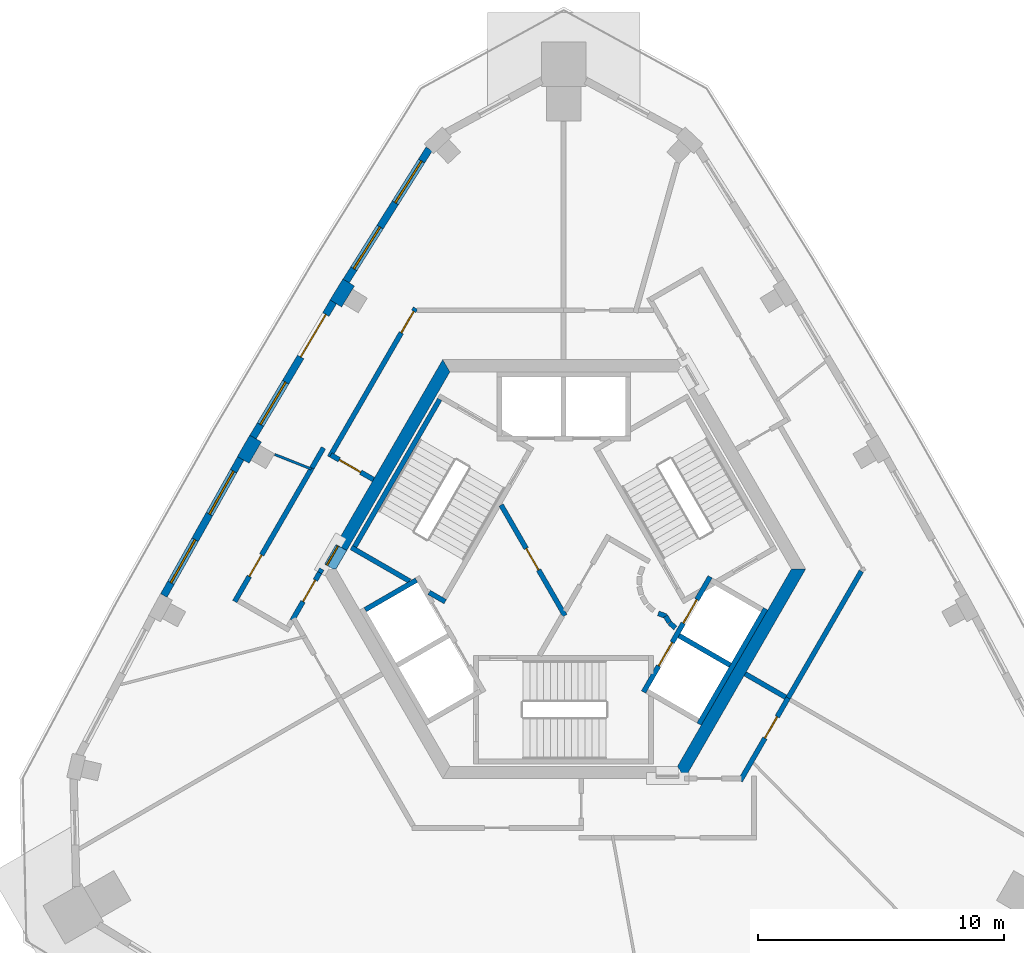
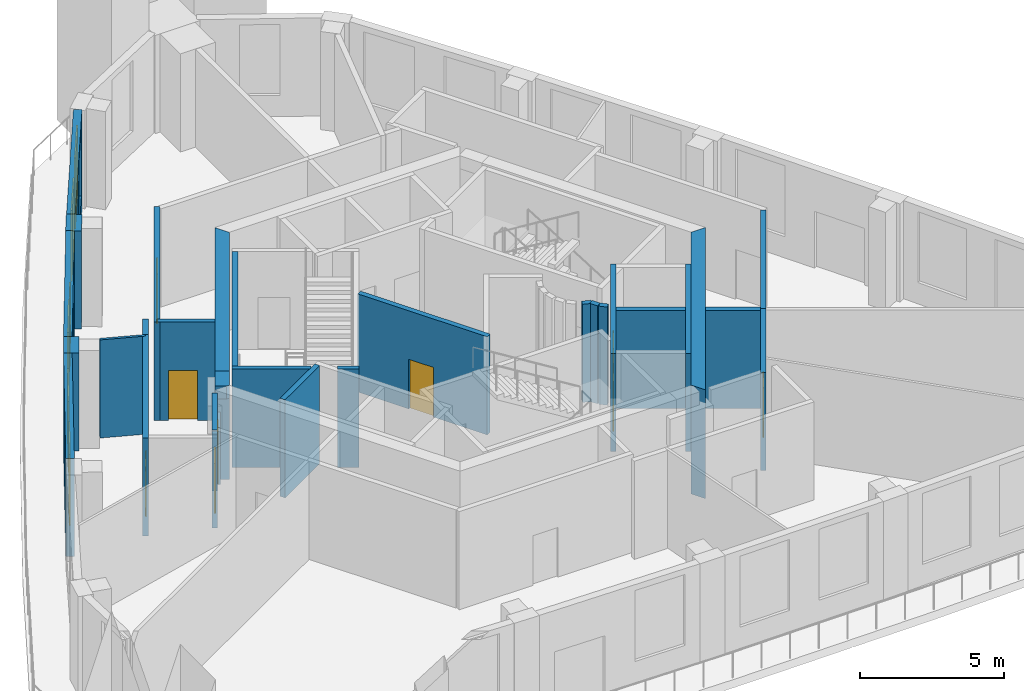
# One storey, part 3 of 7: 30 walls, 10 doors, 5 windows, 15 openings.
"""IFC4 building model written with IfcOpenShell, lengths in metres."""

from ifc_helpers import new_model, si_unit, direction, frame, frame_2d, origin, place, context, subcontext, project, spatial, polyline, rectangle, outline, extrude, material, layer, layer_set, type_object, element, fill, save


model = new_model("IFC4")

# Units and contexts
model_context = context("Model", 3, precision=1e-05, world=origin(), true_north=direction((0.0, 1.0)))
body_context = subcontext(model_context, "Body", "Model", "MODEL_VIEW")
ifc_project = project(units=[si_unit("LENGTHUNIT", "METRE"), si_unit("AREAUNIT", "SQUARE_METRE"), si_unit("VOLUMEUNIT", "CUBIC_METRE"), si_unit("PLANEANGLEUNIT", "RADIAN"), si_unit("MASSUNIT", "GRAM", prefix="KILO")], contexts=[model_context])

# Site, building, storey
site_placement = place(None, origin())
site = spatial("IfcSite", under=ifc_project, at=site_placement, CompositionType="ELEMENT")
building_placement = place(site_placement, origin())
building = spatial("IfcBuilding", under=site, at=building_placement, Name="Entoto Arch Interchange Tower", CompositionType="ELEMENT")
storey_placement = place(building_placement, frame((0.0, 0.0, 340.39990234375)))
storey = spatial("IfcBuildingStorey", under=building, at=storey_placement, Name="L80", CompositionType="ELEMENT", Elevation=340.39990234375)

# Wall, opening, door
ifc_material_1 = material(Name="Reinforced concrete C40/50", Category="concrete")
ifc_layer_1 = layer(ifc_material_1, 0.199951171875)
ifc_layer_set_1 = layer_set([ifc_layer_1], Name="Reinforced concrete C40/50")
wall_type_1 = type_object("IfcWallType", Name="CORE GAP INFILL WALL", PredefinedType="PARTITIONING", material=ifc_layer_set_1)
wall_1_placement = place(storey_placement, frame((-9.14990234375, 3.451904296875, 0.0), z_axis=(0.0, 0.0, 1.0), x_axis=(-0.500079945886, -0.865979242085, 0.0)))
wall_1 = element("IfcWall", 1, at=wall_1_placement, inside=storey, type_object=wall_type_1, Name="wall:L80:gap3", PredefinedType="PARTITIONING", context=body_context, shape_type="SweptSolid", body=[
    extrude(rectangle(XDim=0.926025390625, YDim=0.199951171875, at=frame_2d((0.462890625, 0.0))), origin(), (0.0, 0.0, 1.0), 2.400146484375),
])
opening_1_placement = place(wall_1_placement, frame((0.01708984375, 0.0, 0.0)))
opening_1 = element("IfcOpeningElement", 2, at=opening_1_placement, cuts=wall_1, Name="Opening L80-D93", PredefinedType="OPENING", context=body_context, shape_type="SweptSolid", body=[
    extrude(rectangle(XDim=0.89990234375, YDim=2.10009765625, at=frame_2d((0.449951171875, 1.050048828125))), frame((0.0, 0.10986328125, 0.0), z_axis=(0.0, -1.0, 0.0), x_axis=(1.0, 0.0, 0.0)), (0.0, 0.0, 1.0), 0.219970703125),
])
ifc_material_2 = material(Name="Fire-rated Steel S235 door and frame", Category="steel")
door_type_1 = type_object("IfcDoorType", Name="DOOR FD-09 900x2100", OperationType="SINGLE_SWING_LEFT", PredefinedType="DOOR", material=ifc_material_2)
door_1_placement = place(opening_1_placement, origin())
door_1 = element("IfcDoor", 3, at=door_1_placement, inside=storey, type_object=door_type_1, Name="door:L80:gap3", OperationType="SINGLE_SWING_LEFT", OverallHeight=2.10009765625, OverallWidth=0.89990234375, PredefinedType="DOOR", context=body_context, shape_type="SweptSolid", body=[
    extrude(rectangle(XDim=0.89990234375, YDim=2.10009765625, at=frame_2d((0.449951171875, 1.050048828125))), frame((0.0, 0.02490234375, 0.0), z_axis=(0.0, -1.0, 0.0), x_axis=(1.0, 0.0, 0.0)), (0.0, 0.0, 1.0), 0.050048828125),
])
fill(opening_1, door_1)

# Walls
ifc_material_3 = material(Name="Concrete C40/50", Category="concrete")
ifc_layer_2 = layer(ifc_material_3, 0.5)
ifc_layer_set_2 = layer_set([ifc_layer_2], Name="Concrete C40/50")
wall_type_2 = type_object("IfcWallType", Name="Core wall 500 C40/50", PredefinedType="SHEAR", material=ifc_layer_set_2)
wall_2_placement = place(storey_placement, frame((0.0, 0.0, -0.449951171875)))
element("IfcWall", 4, at=wall_2_placement, inside=storey, type_object=wall_type_2, Name="Core wall NW L80", PredefinedType="SHEAR", context=body_context, shape_type="SweptSolid", body=[
    extrude(outline(polyline([(-9.236083984375, 3.501953125), (-8.802978515625, 3.2529296875), (-4.618896484375, 10.5), (-4.906982421875, 11.0), (-9.236083984375, 3.501953125)])), origin(), (0.0, 0.0, 1.0), 4.60009765625),
])
wall_3_placement = place(storey_placement, frame((0.0, 0.0, 3.60009765625)))
element("IfcWall", 5, at=wall_3_placement, inside=storey, type_object=wall_type_2, Name="Core wall lintel NW L80", PredefinedType="SHEAR", context=body_context, shape_type="SweptSolid", body=[
    extrude(outline(polyline([(-9.699951171875, 2.699951171875), (-9.35400390625, 2.5), (-9.238037109375, 2.5), (-8.802978515625, 3.2529296875), (-9.236083984375, 3.501953125), (-9.699951171875, 2.699951171875)])), origin(), (0.0, 0.0, 1.0), 0.550048828125),
])
wall_4_placement = place(storey_placement, frame((0.0, 0.0, -0.449951171875)))
element("IfcWall", 6, at=wall_4_placement, inside=storey, type_object=wall_type_2, Name="Core wall SE L80", PredefinedType="SHEAR", context=body_context, shape_type="SweptSolid", body=[
    extrude(outline(polyline([(4.906982421875, -6.0), (9.81494140625, 2.5), (9.238037109375, 2.5), (4.618896484375, -5.5), (4.906982421875, -6.0)])), origin(), (0.0, 0.0, 1.0), 4.60009765625),
])
ifc_layer_3 = layer(ifc_material_3, 0.199951171875)
ifc_layer_set_3 = layer_set([ifc_layer_3], Name="Concrete C40/50")
wall_type_3 = type_object("IfcWallType", Name="LIFT SHAFT WALL 200", PredefinedType="STANDARD", material=ifc_layer_set_3)
wall_5_placement = place(storey_placement, frame((-5.97705078125, 2.052001953125, 0.0), z_axis=(0.0, 0.0, 1.0), x_axis=(-0.865973769406, -0.500089422704, 0.0)))
element("IfcWall", 7, at=wall_5_placement, inside=storey, type_object=wall_type_3, Name="Shaft wall SW1 cross 1", PredefinedType="STANDARD", context=body_context, shape_type="SweptSolid", body=[
    extrude(rectangle(XDim=2.3994140625, YDim=0.199951171875, at=frame_2d((1.19970703125, 0.0))), origin(), (0.0, 0.0, 1.0), 4.150146484375),
])

# Wall, openings, doors
wall_6_placement = place(storey_placement, frame((3.239990234375, -2.488037109375, 0.0), z_axis=(0.0, 0.0, 1.0), x_axis=(0.500034260056, 0.866005622828, 0.0)))
wall_6 = element("IfcWall", 8, at=wall_6_placement, inside=storey, type_object=wall_type_3, Name="Shaft wall SE1 front", PredefinedType="STANDARD", context=body_context, shape_type="SweptSolid", body=[
    extrude(rectangle(XDim=5.3994140625, YDim=0.199951171875, at=frame_2d((2.69970703125, 0.0))), origin(), (0.0, 0.0, 1.0), 4.150146484375),
])
opening_2_placement = place(wall_6_placement, frame((3.22509765625, 0.0, 0.0)))
opening_2 = element("IfcOpeningElement", 9, at=opening_2_placement, cuts=wall_6, Name="Opening LD-HR3-L80", PredefinedType="OPENING", context=body_context, shape_type="SweptSolid", body=[
    extrude(rectangle(XDim=1.10009765625, YDim=2.10009765625, at=frame_2d((0.550048828125, 1.050048828125))), frame((0.0, 0.10986328125, 0.0), z_axis=(0.0, -1.0, 0.0), x_axis=(1.0, 0.0, 0.0)), (0.0, 0.0, 1.0), 0.219970703125),
])
opening_3_placement = place(wall_6_placement, frame((1.22509765625, 0.0, 0.0)))
opening_3 = element("IfcOpeningElement", 10, at=opening_3_placement, cuts=wall_6, Name="Opening LD-FF1-L80", PredefinedType="OPENING", context=body_context, shape_type="SweptSolid", body=[
    extrude(rectangle(XDim=1.10009765625, YDim=2.10009765625, at=frame_2d((0.550048828125, 1.050048828125))), frame((0.0, 0.10986328125, 0.0), z_axis=(0.0, -1.0, 0.0), x_axis=(1.0, 0.0, 0.0)), (0.0, 0.0, 1.0), 0.219970703125),
])
ifc_material_4 = material(Name="Stainless steel 1.4301 panels", Category="steel")
door_type_2 = type_object("IfcDoorType", Name="LIFT LANDING DOOR LD1 1100x2100", OperationType="SLIDING_TO_LEFT", PredefinedType="DOOR", material=ifc_material_4)
door_2_placement = place(opening_2_placement, origin())
door_2 = element("IfcDoor", 11, at=door_2_placement, inside=storey, type_object=door_type_2, Name="Lift landing door HR3 L80", OperationType="SLIDING_TO_LEFT", OverallHeight=2.10009765625, OverallWidth=1.10009765625, PredefinedType="DOOR", context=body_context, shape_type="SweptSolid", body=[
    extrude(rectangle(XDim=1.10009765625, YDim=2.10009765625, at=frame_2d((0.550048828125, 1.050048828125))), frame((0.0, 0.02490234375, 0.0), z_axis=(0.0, -1.0, 0.0), x_axis=(1.0, 0.0, 0.0)), (0.0, 0.0, 1.0), 0.050048828125),
])
fill(opening_2, door_2)
door_3_placement = place(opening_3_placement, origin())
door_3 = element("IfcDoor", 12, at=door_3_placement, inside=storey, type_object=door_type_2, Name="Lift landing door FF1 L80", OperationType="SLIDING_TO_LEFT", OverallHeight=2.10009765625, OverallWidth=1.10009765625, PredefinedType="DOOR", context=body_context, shape_type="SweptSolid", body=[
    extrude(rectangle(XDim=1.10009765625, YDim=2.10009765625, at=frame_2d((0.550048828125, 1.050048828125))), frame((0.0, 0.02490234375, 0.0), z_axis=(0.0, -1.0, 0.0), x_axis=(1.0, 0.0, 0.0)), (0.0, 0.0, 1.0), 0.050048828125),
])
fill(opening_3, door_3)

# Walls
wall_7_placement = place(storey_placement, frame((5.491943359375, -3.7880859375, 0.0), z_axis=(0.0, 0.0, 1.0), x_axis=(0.500034260056, 0.866005622828, 0.0)))
element("IfcWall", 13, at=wall_7_placement, inside=storey, type_object=wall_type_3, Name="Shaft wall SE1 back", PredefinedType="STANDARD", context=body_context, shape_type="SweptSolid", body=[
    extrude(rectangle(XDim=5.3994140625, YDim=0.199951171875, at=frame_2d((2.69970703125, 0.0))), origin(), (0.0, 0.0, 1.0), 4.150146484375),
])
wall_8_placement = place(storey_placement, frame((4.677001953125, -0.199951171875, 0.0), z_axis=(0.0, 0.0, 1.0), x_axis=(0.865973769406, -0.500089422704, 0.0)))
element("IfcWall", 14, at=wall_8_placement, inside=storey, type_object=wall_type_3, Name="Shaft wall SE1 cross 2", PredefinedType="STANDARD", context=body_context, shape_type="SweptSolid", body=[
    extrude(rectangle(XDim=2.3994140625, YDim=0.199951171875, at=frame_2d((1.19970703125, 0.0))), origin(), (0.0, 0.0, 1.0), 4.150146484375),
])
ifc_material_5 = material(Name="Gypsum board partition on steel studs", Category="steel")
ifc_layer_4 = layer(ifc_material_5, 0.10009765625)
ifc_layer_set_4 = layer_set([ifc_layer_4], Name="Gypsum board partition on steel studs")
wall_type_4 = type_object("IfcWallType", Name="PARTITION 100", PredefinedType="PARTITIONING", material=ifc_layer_set_4)
wall_9_placement = place(storey_placement, frame((-11.72607421875, 7.14990234375, 0.0), z_axis=(0.0, 0.0, 1.0), x_axis=(0.929589639936, -0.36859612223, 0.0)))
element("IfcWall", 15, at=wall_9_placement, inside=storey, type_object=wall_type_4, Name="wall:L80:p049", PredefinedType="PARTITIONING", context=body_context, shape_type="SweptSolid", body=[
    extrude(rectangle(XDim=1.59765625, YDim=0.10009765625, at=frame_2d((0.798828125, 0.0))), origin(), (0.0, 0.0, 1.0), 4.150146484375),
])
ifc_layer_5 = layer(ifc_material_5, 0.199951171875)
ifc_layer_set_5 = layer_set([ifc_layer_5], Name="Gypsum board partition on steel studs")
wall_type_5 = type_object("IfcWallType", Name="PARTITION 200", PredefinedType="PARTITIONING", material=ifc_layer_set_5)
wall_10_placement = place(storey_placement, frame((3.837890625, 0.701904296875, 0.0), z_axis=(0.0, 0.0, 1.0), x_axis=(0.941035081519, -0.338308993895, 0.0)))
element("IfcWall", 16, at=wall_10_placement, inside=storey, type_object=wall_type_5, Name="wall:L80:p008", PredefinedType="PARTITIONING", context=body_context, shape_type="SweptSolid", body=[
    extrude(rectangle(XDim=0.3369140625, YDim=0.199951171875, at=frame_2d((0.16845703125, 0.0))), origin(), (0.0, 0.0, 1.0), 4.150146484375),
])
wall_11_placement = place(storey_placement, frame((4.132080078125, 0.593017578125, 0.0), z_axis=(0.0, 0.0, 1.0), x_axis=(0.513561617048, -0.858052717201, 0.0)))
element("IfcWall", 17, at=wall_11_placement, inside=storey, type_object=wall_type_5, Name="wall:L80:p009", PredefinedType="PARTITIONING", context=body_context, shape_type="SweptSolid", body=[
    extrude(rectangle(XDim=0.3076171875, YDim=0.199951171875, at=frame_2d((0.15380859375, 0.0))), origin(), (0.0, 0.0, 1.0), 4.150146484375),
])
wall_12_placement = place(storey_placement, frame((4.301025390625, 0.31494140625, 0.0), z_axis=(0.0, 0.0, 1.0), x_axis=(0.741798017506, -0.670623367639, 0.0)))
element("IfcWall", 18, at=wall_12_placement, inside=storey, type_object=wall_type_5, Name="wall:L80:p010", PredefinedType="PARTITIONING", context=body_context, shape_type="SweptSolid", body=[
    extrude(rectangle(XDim=0.30859375, YDim=0.199951171875, at=frame_2d((0.154296875, 0.0))), origin(), (0.0, 0.0, 1.0), 4.150146484375),
])

# Wall, opening, door
wall_13_placement = place(storey_placement, frame((-2.5400390625, 5.10009765625, 0.0), z_axis=(0.0, 0.0, 1.0), x_axis=(0.499925051871, -0.866068670783, 0.0)))
wall_13 = element("IfcWall", 19, at=wall_13_placement, inside=storey, type_object=wall_type_5, Name="wall:L80:p012", PredefinedType="PARTITIONING", context=body_context, shape_type="SweptSolid", body=[
    extrude(rectangle(XDim=5.180908203125, YDim=0.199951171875, at=frame_2d((2.59033203125, 0.0))), origin(), (0.0, 0.0, 1.0), 4.150146484375),
])
opening_4_placement = place(wall_13_placement, frame((2.0400390625, 0.0, 0.0)))
opening_4 = element("IfcOpeningElement", 20, at=opening_4_placement, cuts=wall_13, Name="Opening L80-D17", PredefinedType="OPENING", context=body_context, shape_type="SweptSolid", body=[
    extrude(rectangle(XDim=1.0, YDim=2.10009765625, at=frame_2d((0.5, 1.050048828125))), frame((0.0, 0.10986328125, 0.0), z_axis=(0.0, -1.0, 0.0), x_axis=(1.0, 0.0, 0.0)), (0.0, 0.0, 1.0), 0.219970703125),
])
door_type_3 = type_object("IfcDoorType", Name="DOOR FD-10 1000x2100", OperationType="SINGLE_SWING_LEFT", PredefinedType="DOOR", material=ifc_material_2)
door_4_placement = place(opening_4_placement, origin())
door_4 = element("IfcDoor", 21, at=door_4_placement, inside=storey, type_object=door_type_3, Name="door:L80:17", OperationType="SINGLE_SWING_RIGHT", OverallHeight=2.10009765625, OverallWidth=1.0, PredefinedType="DOOR", context=body_context, shape_type="SweptSolid", body=[
    extrude(rectangle(XDim=1.0, YDim=2.10009765625, at=frame_2d((0.5, 1.050048828125))), frame((0.0, 0.02490234375, 0.0), z_axis=(0.0, -1.0, 0.0), x_axis=(1.0, 0.0, 0.0)), (0.0, 0.0, 1.0), 0.050048828125),
])
fill(opening_4, door_4)

wall_14_placement = place(storey_placement, frame((9.10595703125, -2.72802734375, 0.0), z_axis=(0.0, 0.0, 1.0), x_axis=(-0.500132879116, -0.865948672398, 0.0)))
wall_14 = element("IfcWall", 22, at=wall_14_placement, inside=storey, type_object=wall_type_5, Name="wall:L80:p021", PredefinedType="PARTITIONING", context=body_context, shape_type="SweptSolid", body=[
    extrude(rectangle(XDim=3.87890625, YDim=0.199951171875, at=frame_2d((1.939453125, 0.0))), origin(), (0.0, 0.0, 1.0), 4.150146484375),
])
opening_5_placement = place(wall_14_placement, frame((0.884033203125, 0.0, 0.0)))
opening_5 = element("IfcOpeningElement", 23, at=opening_5_placement, cuts=wall_14, Name="Opening L80-D05", PredefinedType="OPENING", context=body_context, shape_type="SweptSolid", body=[
    extrude(rectangle(XDim=1.0, YDim=2.10009765625, at=frame_2d((0.5, 1.050048828125))), frame((0.0, 0.10986328125, 0.0), z_axis=(0.0, -1.0, 0.0), x_axis=(1.0, 0.0, 0.0)), (0.0, 0.0, 1.0), 0.219970703125),
])
ifc_material_6 = material(Name="Timber door leaf in Steel S235 frame", Category="steel")
door_type_4 = type_object("IfcDoorType", Name="DOOR DS-10 1000x2100", OperationType="SINGLE_SWING_LEFT", PredefinedType="DOOR", material=ifc_material_6)
door_5_placement = place(opening_5_placement, origin())
door_5 = element("IfcDoor", 24, at=door_5_placement, inside=storey, type_object=door_type_4, Name="door:L80:05", OperationType="SINGLE_SWING_LEFT", OverallHeight=2.10009765625, OverallWidth=1.0, PredefinedType="DOOR", context=body_context, shape_type="SweptSolid", body=[
    extrude(rectangle(XDim=1.0, YDim=2.10009765625, at=frame_2d((0.5, 1.050048828125))), frame((0.0, 0.02490234375, 0.0), z_axis=(0.0, -1.0, 0.0), x_axis=(1.0, 0.0, 0.0)), (0.0, 0.0, 1.0), 0.050048828125),
])
fill(opening_5, door_5)

# Walls
wall_15_placement = place(storey_placement, frame((7.361083984375, -1.75, 0.0), z_axis=(0.0, 0.0, 1.0), x_axis=(0.865980106173, -0.500078449558, 0.0)))
element("IfcWall", 25, at=wall_15_placement, inside=storey, type_object=wall_type_5, Name="wall:L80:p022", PredefinedType="PARTITIONING", context=body_context, shape_type="SweptSolid", body=[
    extrude(rectangle(XDim=1.899658203125, YDim=0.199951171875, at=frame_2d((0.94970703125, 0.0))), origin(), (0.0, 0.0, 1.0), 4.150146484375),
])
wall_16_placement = place(storey_placement, frame((12.073974609375, 2.4130859375, 0.0), z_axis=(0.0, 0.0, 1.0), x_axis=(-0.499974029402, -0.866040397397, 0.0)))
element("IfcWall", 26, at=wall_16_placement, inside=storey, type_object=wall_type_5, Name="wall:L80:p032", PredefinedType="PARTITIONING", context=body_context, shape_type="SweptSolid", body=[
    extrude(rectangle(XDim=5.936279296875, YDim=0.199951171875, at=frame_2d((2.96826171875, 0.0))), origin(), (0.0, 0.0, 1.0), 4.150146484375),
])

# Wall, opening, door
wall_17_placement = place(storey_placement, frame((-9.449951171875, 7.132080078125, 0.0), z_axis=(0.0, 0.0, 1.0), x_axis=(0.866010750942, -0.50002537861, 0.0)))
wall_17 = element("IfcWall", 27, at=wall_17_placement, inside=storey, type_object=wall_type_5, Name="wall:L80:p039", PredefinedType="PARTITIONING", context=body_context, shape_type="SweptSolid", body=[
    extrude(rectangle(XDim=2.0, YDim=0.199951171875, at=frame_2d((1.0, 0.0))), origin(), (0.0, 0.0, 1.0), 4.150146484375),
])
opening_6_placement = place(wall_17_placement, frame((0.39990234375, 0.0, 0.0)))
opening_6 = element("IfcOpeningElement", 28, at=opening_6_placement, cuts=wall_17, Name="Opening L80-D11", PredefinedType="OPENING", context=body_context, shape_type="SweptSolid", body=[
    extrude(rectangle(XDim=1.0, YDim=2.10009765625, at=frame_2d((0.5, 1.050048828125))), frame((0.0, 0.10986328125, 0.0), z_axis=(0.0, -1.0, 0.0), x_axis=(1.0, 0.0, 0.0)), (0.0, 0.0, 1.0), 0.219970703125),
])
door_6_placement = place(opening_6_placement, origin())
door_6 = element("IfcDoor", 29, at=door_6_placement, inside=storey, type_object=door_type_3, Name="door:L80:11", OperationType="SINGLE_SWING_LEFT", OverallHeight=2.10009765625, OverallWidth=1.0, PredefinedType="DOOR", context=body_context, shape_type="SweptSolid", body=[
    extrude(rectangle(XDim=1.0, YDim=2.10009765625, at=frame_2d((0.5, 1.050048828125))), frame((0.0, 0.02490234375, 0.0), z_axis=(0.0, -1.0, 0.0), x_axis=(1.0, 0.0, 0.0)), (0.0, 0.0, 1.0), 0.050048828125),
])
fill(opening_6, door_6)

# Wall
wall_18_placement = place(storey_placement, frame((-9.81494140625, 2.5, 0.0), z_axis=(0.0, 0.0, 1.0), x_axis=(-0.5004692653, -0.865754303766, 0.0)))
element("IfcWall", 30, at=wall_18_placement, inside=storey, type_object=wall_type_5, Name="wall:L80:p040", PredefinedType="PARTITIONING", context=body_context, shape_type="SweptSolid", body=[
    extrude(rectangle(XDim=0.169677734375, YDim=0.199951171875, at=frame_2d((0.0849609375, 0.0))), origin(), (0.0, 0.0, 1.0), 2.400146484375),
])

# Wall, opening, door
wall_19_placement = place(storey_placement, frame((-13.345947265625, 1.18310546875, 0.0), z_axis=(0.0, 0.0, 1.0), x_axis=(0.5000150537, 0.866016712352, 0.0)))
wall_19 = element("IfcWall", 31, at=wall_19_placement, inside=storey, type_object=wall_type_5, Name="wall:L80:p043", PredefinedType="PARTITIONING", context=body_context, shape_type="SweptSolid", body=[
    extrude(rectangle(XDim=6.259521484375, YDim=0.199951171875, at=frame_2d((3.1298828125, 0.0))), origin(), (0.0, 0.0, 1.0), 4.150146484375),
])
opening_7_placement = place(wall_19_placement, frame((1.179931640625, 0.0, 0.0)))
opening_7 = element("IfcOpeningElement", 32, at=opening_7_placement, cuts=wall_19, Name="Opening L80-D13", PredefinedType="OPENING", context=body_context, shape_type="SweptSolid", body=[
    extrude(rectangle(XDim=1.0, YDim=2.10009765625, at=frame_2d((0.5, 1.050048828125))), frame((0.0, 0.10986328125, 0.0), z_axis=(0.0, -1.0, 0.0), x_axis=(1.0, 0.0, 0.0)), (0.0, 0.0, 1.0), 0.219970703125),
])
door_7_placement = place(opening_7_placement, origin())
door_7 = element("IfcDoor", 33, at=door_7_placement, inside=storey, type_object=door_type_3, Name="door:L80:13", OperationType="SINGLE_SWING_LEFT", OverallHeight=2.10009765625, OverallWidth=1.0, PredefinedType="DOOR", context=body_context, shape_type="SweptSolid", body=[
    extrude(rectangle(XDim=1.0, YDim=2.10009765625, at=frame_2d((0.5, 1.050048828125))), frame((0.0, 0.02490234375, 0.0), z_axis=(0.0, -1.0, 0.0), x_axis=(1.0, 0.0, 0.0)), (0.0, 0.0, 1.0), 0.050048828125),
])
fill(opening_7, door_7)

# Wall
wall_20_placement = place(storey_placement, frame((-10.216064453125, 6.60400390625, 0.0), z_axis=(0.0, 0.0, 1.0), x_axis=(0.499572668549, 0.866271983178, 0.0)))
element("IfcWall", 34, at=wall_20_placement, inside=storey, type_object=wall_type_5, Name="wall:L80:p044", PredefinedType="PARTITIONING", context=body_context, shape_type="SweptSolid", body=[
    extrude(rectangle(XDim=0.940673828125, YDim=0.199951171875, at=frame_2d((0.47021484375, 0.0))), origin(), (0.0, 0.0, 1.0), 4.150146484375),
])

# Wall, opening, door
wall_21_placement = place(storey_placement, frame((-9.5, 7.044921875, 0.0), z_axis=(0.0, 0.0, 1.0), x_axis=(0.499966812698, 0.866044563634, 0.0)))
wall_21 = element("IfcWall", 35, at=wall_21_placement, inside=storey, type_object=wall_type_5, Name="wall:L80:p045", PredefinedType="PARTITIONING", context=body_context, shape_type="SweptSolid", body=[
    extrude(rectangle(XDim=6.9765625, YDim=0.199951171875, at=frame_2d((3.48828125, 0.0))), origin(), (0.0, 0.0, 1.0), 4.150146484375),
])
opening_8_placement = place(wall_21_placement, frame((5.825927734375, 0.0, 0.0)))
opening_8 = element("IfcOpeningElement", 36, at=opening_8_placement, cuts=wall_21, Name="Opening L80-D14", PredefinedType="OPENING", context=body_context, shape_type="SweptSolid", body=[
    extrude(rectangle(XDim=1.0, YDim=2.10009765625, at=frame_2d((0.5, 1.050048828125))), frame((0.0, 0.10986328125, 0.0), z_axis=(0.0, -1.0, 0.0), x_axis=(1.0, 0.0, 0.0)), (0.0, 0.0, 1.0), 0.219970703125),
])
door_8_placement = place(opening_8_placement, origin())
door_8 = element("IfcDoor", 37, at=door_8_placement, inside=storey, type_object=door_type_4, Name="door:L80:14", OperationType="SINGLE_SWING_RIGHT", OverallHeight=2.10009765625, OverallWidth=1.0, PredefinedType="DOOR", context=body_context, shape_type="SweptSolid", body=[
    extrude(rectangle(XDim=1.0, YDim=2.10009765625, at=frame_2d((0.5, 1.050048828125))), frame((0.0, 0.02490234375, 0.0), z_axis=(0.0, -1.0, 0.0), x_axis=(1.0, 0.0, 0.0)), (0.0, 0.0, 1.0), 0.050048828125),
])
fill(opening_8, door_8)

wall_22_placement = place(storey_placement, frame((-9.89990234375, 2.35302734375, 0.0), z_axis=(0.0, 0.0, 1.0), x_axis=(-0.500030632641, -0.866007717299, 0.0)))
wall_22 = element("IfcWall", 38, at=wall_22_placement, inside=storey, type_object=wall_type_5, Name="wall:L80:p040", PredefinedType="PARTITIONING", context=body_context, shape_type="SweptSolid", body=[
    extrude(rectangle(XDim=2.239990234375, YDim=0.199951171875, at=frame_2d((1.1201171875, 0.0))), origin(), (0.0, 0.0, 1.0), 4.150146484375),
])
opening_9_placement = place(wall_22_placement, frame((0.35107421875, 0.0, 0.0)))
opening_9 = element("IfcOpeningElement", 39, at=opening_9_placement, cuts=wall_22, Name="Opening L80-D12", PredefinedType="OPENING", context=body_context, shape_type="SweptSolid", body=[
    extrude(rectangle(XDim=1.0, YDim=2.10009765625, at=frame_2d((0.5, 1.050048828125))), frame((0.0, 0.10986328125, 0.0), z_axis=(0.0, -1.0, 0.0), x_axis=(1.0, 0.0, 0.0)), (0.0, 0.0, 1.0), 0.219970703125),
])
door_9_placement = place(opening_9_placement, origin())
door_9 = element("IfcDoor", 40, at=door_9_placement, inside=storey, type_object=door_type_3, Name="door:L80:12", OperationType="SINGLE_SWING_RIGHT", OverallHeight=2.10009765625, OverallWidth=1.0, PredefinedType="DOOR", context=body_context, shape_type="SweptSolid", body=[
    extrude(rectangle(XDim=1.0, YDim=2.10009765625, at=frame_2d((0.5, 1.050048828125))), frame((0.0, 0.02490234375, 0.0), z_axis=(0.0, -1.0, 0.0), x_axis=(1.0, 0.0, 0.0)), (0.0, 0.0, 1.0), 0.050048828125),
])
fill(opening_9, door_9)

# Walls
ifc_layer_6 = layer(ifc_material_3, 0.199951171875)
ifc_layer_set_6 = layer_set([ifc_layer_6], Name="Concrete C40/50")
wall_type_6 = type_object("IfcWallType", Name="STAIR ENCLOSURE WALL 200", PredefinedType="STANDARD", material=ifc_layer_set_6)
wall_23_placement = place(storey_placement, frame((-6.25, 2.010009765625, 0.0), z_axis=(0.0, 0.0, 1.0), x_axis=(-0.86611865017, 0.499838457731, 0.0)))
element("IfcWall", 41, at=wall_23_placement, inside=storey, type_object=wall_type_6, Name="Stair wall ST-NW far", PredefinedType="STANDARD", context=body_context, shape_type="SweptSolid", body=[
    extrude(rectangle(XDim=2.73291015625, YDim=0.199951171875, at=frame_2d((1.366455078125, 0.0))), origin(), (0.0, 0.0, 1.0), 4.150146484375),
])
wall_24_placement = place(storey_placement, frame((-4.805908203125, 1.176025390625, 0.0), z_axis=(0.0, 0.0, 1.0), x_axis=(-0.866558586415, 0.499075361355, 0.0)))
element("IfcWall", 42, at=wall_24_placement, inside=storey, type_object=wall_type_6, Name="Stair wall ST-NW far return", PredefinedType="STANDARD", context=body_context, shape_type="SweptSolid", body=[
    extrude(rectangle(XDim=0.75146484375, YDim=0.199951171875, at=frame_2d((0.375732421875, 0.0))), origin(), (0.0, 0.0, 1.0), 4.150146484375),
])
wall_25_placement = place(storey_placement, frame((-5.030029296875, 9.387939453125, 0.0), z_axis=(0.0, 0.0, 1.0), x_axis=(-0.499978703459, -0.866037698999, 0.0)))
element("IfcWall", 43, at=wall_25_placement, inside=storey, type_object=wall_type_6, Name="Stair wall ST-NW back", PredefinedType="STANDARD", context=body_context, shape_type="SweptSolid", body=[
    extrude(rectangle(XDim=6.900146484375, YDim=0.199951171875, at=frame_2d((3.4501953125, 0.0))), origin(), (0.0, 0.0, 1.0), 4.150146484375),
])

# Wall, openings, windows
ifc_material_7 = material(Name="Welded tuff (ignimbrite) cladding, warm buff", Category="masonry")
ifc_layer_7 = layer(ifc_material_7, 0.300048828125)
ifc_layer_set_7 = layer_set([ifc_layer_7], Name="Welded tuff (ignimbrite) cladding, warm buff")
wall_type_7 = type_object("IfcWallType", Name="STONE INFILL WALL 300", PredefinedType="STANDARD", material=ifc_layer_set_7)
wall_26_placement = place(storey_placement, frame((-5.458984375, 19.544921875, 0.0), z_axis=(0.0, 0.0, 1.0), x_axis=(-0.532279831475, -0.846568473902, 0.0)))
wall_26 = element("IfcWall", 44, at=wall_26_placement, inside=storey, type_object=wall_type_7, Name="Facade wall NW-01 L80", PredefinedType="STANDARD", context=body_context, shape_type="SweptSolid", body=[
    extrude(rectangle(XDim=6.325439453125, YDim=0.300048828125, at=frame_2d((3.16259765625, 0.0))), origin(), (0.0, 0.0, 1.0), 4.150146484375),
])
opening_10_placement = place(wall_26_placement, frame((0.5810546875, 0.0, 0.89990234375)))
opening_10 = element("IfcOpeningElement", 45, at=opening_10_placement, cuts=wall_26, Name="Opening WK-C", PredefinedType="OPENING", context=body_context, shape_type="SweptSolid", body=[
    extrude(rectangle(XDim=2.0, YDim=3.0, at=frame_2d((1.0, 1.5))), frame((0.0, 0.16015625, 0.0), z_axis=(0.0, -1.0, 0.0), x_axis=(1.0, 0.0, 0.0)), (0.0, 0.0, 1.0), 0.320068359375),
])
opening_11_placement = place(wall_26_placement, frame((3.743896484375, 0.0, 0.89990234375)))
opening_11 = element("IfcOpeningElement", 46, at=opening_11_placement, cuts=wall_26, Name="Opening WK-C", PredefinedType="OPENING", context=body_context, shape_type="SweptSolid", body=[
    extrude(rectangle(XDim=2.0, YDim=3.0, at=frame_2d((1.0, 1.5))), frame((0.0, 0.16015625, 0.0), z_axis=(0.0, -1.0, 0.0), x_axis=(1.0, 0.0, 0.0)), (0.0, 0.0, 1.0), 0.320068359375),
])
ifc_material_8 = material(Name="Clear glass, low-e double glazed", Category="glass")
window_type = type_object("IfcWindowType", Name="WINDOW WK-C 2000x3000", PartitioningType="DOUBLE_PANEL_VERTICAL", PredefinedType="WINDOW", material=ifc_material_8)
window_1_placement = place(opening_10_placement, origin())
window_1 = element("IfcWindow", 47, at=window_1_placement, inside=storey, type_object=window_type, Name="Window WK-C NW-01 L80", OverallHeight=3.0, OverallWidth=2.0, PartitioningType="SINGLE_PANEL", PredefinedType="WINDOW", context=body_context, shape_type="SweptSolid", body=[
    extrude(rectangle(XDim=2.0, YDim=3.0, at=frame_2d((1.0, 1.5))), frame((0.0, 0.030029296875, 0.0), z_axis=(0.0, -1.0, 0.0), x_axis=(1.0, 0.0, 0.0)), (0.0, 0.0, 1.0), 0.06005859375),
])
fill(opening_10, window_1)
window_2_placement = place(opening_11_placement, origin())
window_2 = element("IfcWindow", 48, at=window_2_placement, inside=storey, type_object=window_type, Name="Window WK-C NW-01 L80", OverallHeight=3.0, OverallWidth=2.0, PartitioningType="SINGLE_PANEL", PredefinedType="WINDOW", context=body_context, shape_type="SweptSolid", body=[
    extrude(rectangle(XDim=2.0, YDim=3.0, at=frame_2d((1.0, 1.5))), frame((0.0, 0.030029296875, 0.0), z_axis=(0.0, -1.0, 0.0), x_axis=(1.0, 0.0, 0.0)), (0.0, 0.0, 1.0), 0.06005859375),
])
fill(opening_11, window_2)

# Wall, openings, door, window
wall_27_placement = place(storey_placement, frame((-9.346923828125, 13.339111328125, 0.0), z_axis=(0.0, 0.0, 1.0), x_axis=(-0.510686403068, -0.859767060152, 0.0)))
wall_27 = element("IfcWall", 49, at=wall_27_placement, inside=storey, type_object=wall_type_7, Name="Facade wall NW-02 L80", PredefinedType="STANDARD", context=body_context, shape_type="SweptSolid", body=[
    extrude(rectangle(XDim=6.379638671875, YDim=0.300048828125, at=frame_2d((3.18994140625, 0.0))), origin(), (0.0, 0.0, 1.0), 4.150146484375),
])
opening_12_placement = place(wall_27_placement, frame((0.594970703125, 0.0, 0.0)))
opening_12 = element("IfcOpeningElement", 50, at=opening_12_placement, cuts=wall_27, Name="Opening DT-NW-02-L80", PredefinedType="OPENING", context=body_context, shape_type="SweptSolid", body=[
    extrude(rectangle(XDim=2.0, YDim=2.39990234375, at=frame_2d((1.0, 1.199951171875))), frame((0.0, 0.16015625, 0.0), z_axis=(0.0, -1.0, 0.0), x_axis=(1.0, 0.0, 0.0)), (0.0, 0.0, 1.0), 0.320068359375),
])
opening_13_placement = place(wall_27_placement, frame((3.784912109375, 0.0, 0.89990234375)))
opening_13 = element("IfcOpeningElement", 51, at=opening_13_placement, cuts=wall_27, Name="Opening WK-C", PredefinedType="OPENING", context=body_context, shape_type="SweptSolid", body=[
    extrude(rectangle(XDim=2.0, YDim=3.0, at=frame_2d((1.0, 1.5))), frame((0.0, 0.16015625, 0.0), z_axis=(0.0, -1.0, 0.0), x_axis=(1.0, 0.0, 0.0)), (0.0, 0.0, 1.0), 0.320068359375),
])
ifc_material_9 = material(Name="Aluminium and clear glass, anodised", Category="aluminium")
door_type_5 = type_object("IfcDoorType", Name="TERRACE DOOR DT 2000x2400", OperationType="SLIDING_TO_LEFT", PredefinedType="DOOR", material=ifc_material_9)
door_10_placement = place(opening_12_placement, origin())
door_10 = element("IfcDoor", 52, at=door_10_placement, inside=storey, type_object=door_type_5, Name="Terrace door NW-02 L80", OperationType="SLIDING_TO_LEFT", OverallHeight=2.39990234375, OverallWidth=2.0, PredefinedType="DOOR", context=body_context, shape_type="SweptSolid", body=[
    extrude(rectangle(XDim=2.0, YDim=2.39990234375, at=frame_2d((1.0, 1.199951171875))), frame((0.0, 0.02490234375, 0.0), z_axis=(0.0, -1.0, 0.0), x_axis=(1.0, 0.0, 0.0)), (0.0, 0.0, 1.0), 0.050048828125),
])
fill(opening_12, door_10)
window_3_placement = place(opening_13_placement, origin())
window_3 = element("IfcWindow", 53, at=window_3_placement, inside=storey, type_object=window_type, Name="Window WK-C NW-02 L80", OverallHeight=3.0, OverallWidth=2.0, PartitioningType="SINGLE_PANEL", PredefinedType="WINDOW", context=body_context, shape_type="SweptSolid", body=[
    extrude(rectangle(XDim=2.0, YDim=3.0, at=frame_2d((1.0, 1.5))), frame((0.0, 0.030029296875, 0.0), z_axis=(0.0, -1.0, 0.0), x_axis=(1.0, 0.0, 0.0)), (0.0, 0.0, 1.0), 0.06005859375),
])
fill(opening_13, window_3)

# Wall, openings, windows
wall_28_placement = place(storey_placement, frame((-13.10400390625, 6.989990234375, 0.0), z_axis=(0.0, 0.0, 1.0), x_axis=(-0.489232514948, -0.872153396094, 0.0)))
wall_28 = element("IfcWall", 54, at=wall_28_placement, inside=storey, type_object=wall_type_7, Name="Facade wall NW-03 L80", PredefinedType="STANDARD", context=body_context, shape_type="SweptSolid", body=[
    extrude(rectangle(XDim=6.379638671875, YDim=0.300048828125, at=frame_2d((3.18994140625, 0.0))), origin(), (0.0, 0.0, 1.0), 4.150146484375),
])
opening_14_placement = place(wall_28_placement, frame((0.594970703125, 0.0, 0.89990234375)))
opening_14 = element("IfcOpeningElement", 55, at=opening_14_placement, cuts=wall_28, Name="Opening WK-C", PredefinedType="OPENING", context=body_context, shape_type="SweptSolid", body=[
    extrude(rectangle(XDim=2.0, YDim=3.0, at=frame_2d((1.0, 1.5))), frame((0.0, 0.16015625, 0.0), z_axis=(0.0, -1.0, 0.0), x_axis=(1.0, 0.0, 0.0)), (0.0, 0.0, 1.0), 0.320068359375),
])
opening_15_placement = place(wall_28_placement, frame((3.784912109375, 0.0, 0.89990234375)))
opening_15 = element("IfcOpeningElement", 56, at=opening_15_placement, cuts=wall_28, Name="Opening WK-C", PredefinedType="OPENING", context=body_context, shape_type="SweptSolid", body=[
    extrude(rectangle(XDim=2.0, YDim=3.0, at=frame_2d((1.0, 1.5))), frame((0.0, 0.16015625, 0.0), z_axis=(0.0, -1.0, 0.0), x_axis=(1.0, 0.0, 0.0)), (0.0, 0.0, 1.0), 0.320068359375),
])
window_4_placement = place(opening_14_placement, origin())
window_4 = element("IfcWindow", 57, at=window_4_placement, inside=storey, type_object=window_type, Name="Window WK-C NW-03 L80", OverallHeight=3.0, OverallWidth=2.0, PartitioningType="SINGLE_PANEL", PredefinedType="WINDOW", context=body_context, shape_type="SweptSolid", body=[
    extrude(rectangle(XDim=2.0, YDim=3.0, at=frame_2d((1.0, 1.5))), frame((0.0, 0.030029296875, 0.0), z_axis=(0.0, -1.0, 0.0), x_axis=(1.0, 0.0, 0.0)), (0.0, 0.0, 1.0), 0.06005859375),
])
fill(opening_14, window_4)
window_5_placement = place(opening_15_placement, origin())
window_5 = element("IfcWindow", 58, at=window_5_placement, inside=storey, type_object=window_type, Name="Window WK-C NW-03 L80", OverallHeight=3.0, OverallWidth=2.0, PartitioningType="SINGLE_PANEL", PredefinedType="WINDOW", context=body_context, shape_type="SweptSolid", body=[
    extrude(rectangle(XDim=2.0, YDim=3.0, at=frame_2d((1.0, 1.5))), frame((0.0, 0.030029296875, 0.0), z_axis=(0.0, -1.0, 0.0), x_axis=(1.0, 0.0, 0.0)), (0.0, 0.0, 1.0), 0.06005859375),
])
fill(opening_15, window_5)

# Walls
ifc_layer_8 = layer(ifc_material_7, 0.550048828125)
ifc_layer_set_8 = layer_set([ifc_layer_8], Name="Welded tuff (ignimbrite) cladding, warm buff")
wall_type_8 = type_object("IfcWallType", Name="STONE PIER CLADDING 550", PredefinedType="STANDARD", material=ifc_layer_set_8)
wall_29_placement = place(storey_placement, frame((-8.72509765625, 14.12890625, 0.0), z_axis=(0.0, 0.0, 1.0), x_axis=(-0.521232636172, -0.853414634857, 0.0)))
element("IfcWall", 59, at=wall_29_placement, inside=storey, type_object=wall_type_8, Name="Stone pier NW02 L80", PredefinedType="STANDARD", context=body_context, shape_type="SweptSolid", body=[
    extrude(rectangle(XDim=0.99951171875, YDim=0.550048828125, at=frame_2d((0.499755859375, 0.0))), origin(), (0.0, 0.0, 1.0), 4.150146484375),
])
wall_30_placement = place(storey_placement, frame((-12.501953125, 7.7958984375, 0.0), z_axis=(0.0, 0.0, 1.0), x_axis=(-0.49960277677, -0.866254619292, 0.0)))
element("IfcWall", 60, at=wall_30_placement, inside=storey, type_object=wall_type_8, Name="Stone pier NW03 L80", PredefinedType="STANDARD", context=body_context, shape_type="SweptSolid", body=[
    extrude(rectangle(XDim=1.000732421875, YDim=0.550048828125, at=frame_2d((0.50048828125, 0.0))), origin(), (0.0, 0.0, 1.0), 4.150146484375),
])

save(model, "model.ifc")
